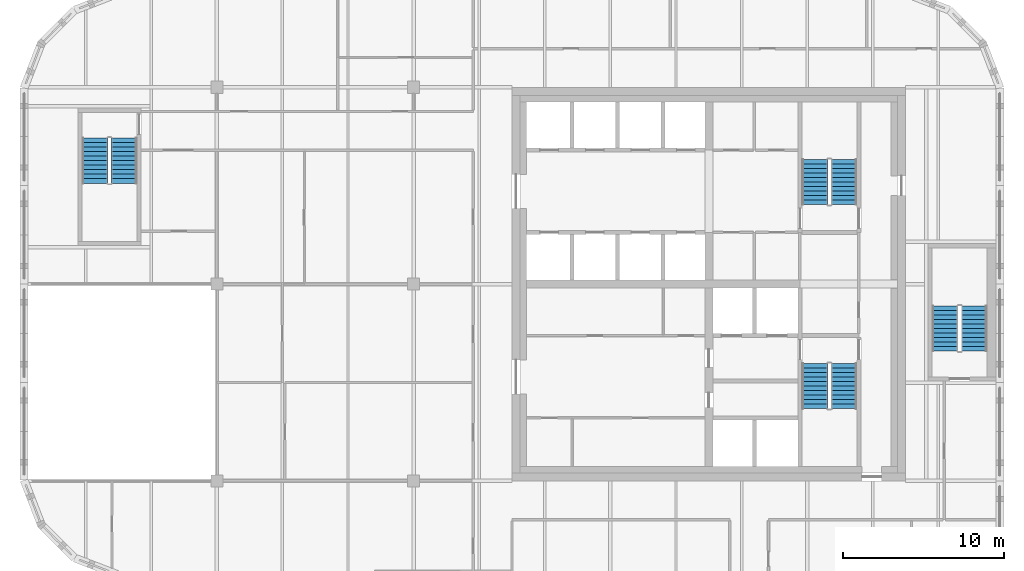
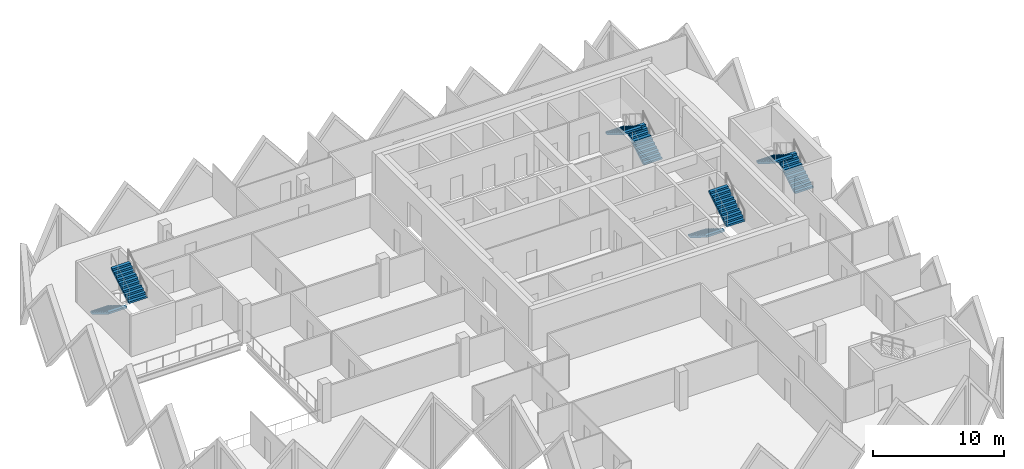
# One storey, part 11 of 12: 8 stair flights, 4 elements without a shape of their own.
"""IFC4 building model written with IfcOpenShell, lengths in metres."""

from ifc_helpers import new_model, si_unit, direction, frame, origin, place, context, subcontext, project, spatial, polyline, outline, extrude, material, type_object, element, aggregate, save


model = new_model("IFC4")

# Units and contexts
model_context = context("Model", 3, precision=1e-05, world=origin(), true_north=direction((0.0, 1.0)))
body_context = subcontext(model_context, "Body", "Model", "MODEL_VIEW")
ifc_project = project(units=[si_unit("LENGTHUNIT", "METRE"), si_unit("AREAUNIT", "SQUARE_METRE"), si_unit("VOLUMEUNIT", "CUBIC_METRE"), si_unit("PLANEANGLEUNIT", "RADIAN"), si_unit("MASSUNIT", "GRAM", prefix="KILO")], contexts=[model_context])

# Site, building, storey
site_placement = place(None, origin())
site = spatial("IfcSite", under=ifc_project, at=site_placement, CompositionType="ELEMENT")
building_placement = place(site_placement, origin())
building = spatial("IfcBuilding", under=site, at=building_placement, Name="Tessera Gate Towers", CompositionType="ELEMENT")
storey_placement = place(building_placement, frame((0.0, 0.0, 213.10009765625)))
storey = spatial("IfcBuildingStorey", under=building, at=storey_placement, Name="L53", CompositionType="ELEMENT", Elevation=213.10009765625)

# Stair, stair flights
ifc_material_1 = material(Name="Concrete C40/50", Category="concrete")
stair_type_1 = type_object("IfcStairType", Name="EXIT STAIR ST1 1600", PredefinedType="HALF_TURN_STAIR", material=ifc_material_1)
stair_1_placement = place(storey_placement, origin())
stair_1 = element("IfcStair", 1, at=stair_1_placement, inside=storey, type_object=stair_type_1, Name="L53 Protected Exit Stair ST1", PredefinedType="HALF_TURN_STAIR")
ifc_material_2 = material(Name="Concrete C40/50", Category="concrete")
stair_flight_type_1 = type_object("IfcStairFlightType", Name="EXIT STAIR FLIGHT ST1 1600", PredefinedType="STRAIGHT", material=ifc_material_2)
stair_flight_1_placement = place(storey_placement, frame((49.27490234375, 31.675048828125, 0.0), z_axis=(0.0, 0.0, 1.0), x_axis=(0.0, -1.0, 0.0)))
stair_flight_1 = element("IfcStairFlight", 2, at=stair_flight_1_placement, type_object=stair_flight_type_1, Name="ST1 flight 1", NumberOfRisers=11, NumberOfTreads=10, PredefinedType="STRAIGHT", RiserHeight=0.172727273, TreadLength=0.28, context=body_context, shape_type="SweptSolid", body=[
    extrude(outline(polyline([(0.0, 0.0), (0.0, 0.172607421875), (0.280029296875, 0.172607421875), (0.280029296875, 0.345458984375), (0.56005859375, 0.345458984375), (0.56005859375, 0.51806640625), (0.840087890625, 0.51806640625), (0.840087890625, 0.69091796875), (1.1201171875, 0.69091796875), (1.1201171875, 0.863525390625), (1.39990234375, 0.863525390625), (1.39990234375, 1.036376953125), (1.679931640625, 1.036376953125), (1.679931640625, 1.208984375), (1.9599609375, 1.208984375), (1.9599609375, 1.3818359375), (2.239990234375, 1.3818359375), (2.239990234375, 1.554443359375), (2.52001953125, 1.554443359375), (2.52001953125, 1.727294921875), (2.800048828125, 1.727294921875), (2.800048828125, 1.89990234375), (2.800048828125, 1.551025390625), (0.285400390625, 0.0), (0.0, 0.0)])), frame((0.0, 0.800048828125, 0.0), z_axis=(0.0, -1.0, 0.0), x_axis=(1.0, 0.0, 0.0)), (0.0, 0.0, 1.0), 1.60009765625),
])
stair_flight_2_placement = place(storey_placement, frame((51.074951171875, 28.875, 1.89990234375), z_axis=(0.0, 0.0, 1.0), x_axis=(0.0, 1.0, 0.0)))
stair_flight_2 = element("IfcStairFlight", 3, at=stair_flight_2_placement, type_object=stair_flight_type_1, Name="ST1 flight 2", NumberOfRisers=11, NumberOfTreads=10, PredefinedType="STRAIGHT", RiserHeight=0.172727273, TreadLength=0.28, context=body_context, shape_type="SweptSolid", body=[
    extrude(outline(polyline([(0.0, 0.0), (0.0, 0.172607421875), (0.280029296875, 0.172607421875), (0.280029296875, 0.345458984375), (0.56005859375, 0.345458984375), (0.56005859375, 0.51806640625), (0.840087890625, 0.51806640625), (0.840087890625, 0.69091796875), (1.1201171875, 0.69091796875), (1.1201171875, 0.863525390625), (1.39990234375, 0.863525390625), (1.39990234375, 1.036376953125), (1.679931640625, 1.036376953125), (1.679931640625, 1.208984375), (1.9599609375, 1.208984375), (1.9599609375, 1.3818359375), (2.239990234375, 1.3818359375), (2.239990234375, 1.554443359375), (2.52001953125, 1.554443359375), (2.52001953125, 1.727294921875), (2.800048828125, 1.727294921875), (2.800048828125, 1.89990234375), (2.800048828125, 1.551025390625), (0.285400390625, 0.0), (0.0, 0.0)])), frame((0.0, 0.800048828125, 0.0), z_axis=(0.0, -1.0, 0.0), x_axis=(1.0, 0.0, 0.0)), (0.0, 0.0, 1.0), 1.60009765625),
])
aggregate(stair_1, [stair_flight_1, stair_flight_2])

ifc_material_3 = material(Name="Concrete C40/50", Category="concrete")
stair_type_2 = type_object("IfcStairType", Name="EXIT STAIR ST2 1600", PredefinedType="HALF_TURN_STAIR", material=ifc_material_3)
stair_2_placement = place(storey_placement, origin())
stair_2 = element("IfcStair", 4, at=stair_2_placement, inside=storey, type_object=stair_type_2, Name="L53 Protected Exit Stair ST2", PredefinedType="HALF_TURN_STAIR")
ifc_material_4 = material(Name="Concrete C40/50", Category="concrete")
stair_flight_type_2 = type_object("IfcStairFlightType", Name="EXIT STAIR FLIGHT ST2 1600", PredefinedType="STRAIGHT", material=ifc_material_4)
stair_flight_3_placement = place(storey_placement, frame((51.074951171875, 41.52490234375, 0.0), z_axis=(0.0, 0.0, 1.0), x_axis=(0.0, 1.0, 0.0)))
stair_flight_3 = element("IfcStairFlight", 5, at=stair_flight_3_placement, type_object=stair_flight_type_2, Name="ST2 flight 1", NumberOfRisers=11, NumberOfTreads=10, PredefinedType="STRAIGHT", RiserHeight=0.172727273, TreadLength=0.28, context=body_context, shape_type="SweptSolid", body=[
    extrude(outline(polyline([(0.0, 0.0), (0.0, 0.172607421875), (0.280029296875, 0.172607421875), (0.280029296875, 0.345458984375), (0.56005859375, 0.345458984375), (0.56005859375, 0.51806640625), (0.840087890625, 0.51806640625), (0.840087890625, 0.69091796875), (1.1201171875, 0.69091796875), (1.1201171875, 0.863525390625), (1.39990234375, 0.863525390625), (1.39990234375, 1.036376953125), (1.679931640625, 1.036376953125), (1.679931640625, 1.208984375), (1.9599609375, 1.208984375), (1.9599609375, 1.3818359375), (2.239990234375, 1.3818359375), (2.239990234375, 1.554443359375), (2.52001953125, 1.554443359375), (2.52001953125, 1.727294921875), (2.800048828125, 1.727294921875), (2.800048828125, 1.89990234375), (2.800048828125, 1.551025390625), (0.285400390625, 0.0), (0.0, 0.0)])), frame((0.0, 0.800048828125, 0.0), z_axis=(0.0, -1.0, 0.0), x_axis=(1.0, 0.0, 0.0)), (0.0, 0.0, 1.0), 1.60009765625),
])
stair_flight_4_placement = place(storey_placement, frame((49.27490234375, 44.324951171875, 1.89990234375), z_axis=(0.0, 0.0, 1.0), x_axis=(0.0, -1.0, 0.0)))
stair_flight_4 = element("IfcStairFlight", 6, at=stair_flight_4_placement, type_object=stair_flight_type_2, Name="ST2 flight 2", NumberOfRisers=11, NumberOfTreads=10, PredefinedType="STRAIGHT", RiserHeight=0.172727273, TreadLength=0.28, context=body_context, shape_type="SweptSolid", body=[
    extrude(outline(polyline([(0.0, 0.0), (0.0, 0.172607421875), (0.280029296875, 0.172607421875), (0.280029296875, 0.345458984375), (0.56005859375, 0.345458984375), (0.56005859375, 0.51806640625), (0.840087890625, 0.51806640625), (0.840087890625, 0.69091796875), (1.1201171875, 0.69091796875), (1.1201171875, 0.863525390625), (1.39990234375, 0.863525390625), (1.39990234375, 1.036376953125), (1.679931640625, 1.036376953125), (1.679931640625, 1.208984375), (1.9599609375, 1.208984375), (1.9599609375, 1.3818359375), (2.239990234375, 1.3818359375), (2.239990234375, 1.554443359375), (2.52001953125, 1.554443359375), (2.52001953125, 1.727294921875), (2.800048828125, 1.727294921875), (2.800048828125, 1.89990234375), (2.800048828125, 1.551025390625), (0.285400390625, 0.0), (0.0, 0.0)])), frame((0.0, 0.800048828125, 0.0), z_axis=(0.0, -1.0, 0.0), x_axis=(1.0, 0.0, 0.0)), (0.0, 0.0, 1.0), 1.60009765625),
])
aggregate(stair_2, [stair_flight_3, stair_flight_4])

ifc_material_5 = material(Name="Concrete C40/50", Category="concrete")
stair_type_3 = type_object("IfcStairType", Name="EXIT STAIR ST3 1600", PredefinedType="HALF_TURN_STAIR", material=ifc_material_5)
stair_3_placement = place(storey_placement, origin())
stair_3 = element("IfcStair", 7, at=stair_3_placement, inside=storey, type_object=stair_type_3, Name="L53 West Exit Stair ST3", PredefinedType="HALF_TURN_STAIR")
ifc_material_6 = material(Name="Concrete C40/50", Category="concrete")
stair_flight_type_3 = type_object("IfcStairFlightType", Name="EXIT STAIR FLIGHT ST3 1600", PredefinedType="STRAIGHT", material=ifc_material_6)
stair_flight_5_placement = place(storey_placement, frame((4.64990234375, 45.64990234375, 0.0), z_axis=(0.0, 0.0, 1.0), x_axis=(0.0, -1.0, 0.0)))
stair_flight_5 = element("IfcStairFlight", 8, at=stair_flight_5_placement, type_object=stair_flight_type_3, Name="ST3 flight 1", NumberOfRisers=11, NumberOfTreads=10, PredefinedType="STRAIGHT", RiserHeight=0.172727273, TreadLength=0.28, context=body_context, shape_type="SweptSolid", body=[
    extrude(outline(polyline([(0.0, 0.0), (0.0, 0.172607421875), (0.280029296875, 0.172607421875), (0.280029296875, 0.345458984375), (0.56005859375, 0.345458984375), (0.56005859375, 0.51806640625), (0.840087890625, 0.51806640625), (0.840087890625, 0.69091796875), (1.1201171875, 0.69091796875), (1.1201171875, 0.863525390625), (1.39990234375, 0.863525390625), (1.39990234375, 1.036376953125), (1.679931640625, 1.036376953125), (1.679931640625, 1.208984375), (1.9599609375, 1.208984375), (1.9599609375, 1.3818359375), (2.239990234375, 1.3818359375), (2.239990234375, 1.554443359375), (2.52001953125, 1.554443359375), (2.52001953125, 1.727294921875), (2.800048828125, 1.727294921875), (2.800048828125, 1.89990234375), (2.800048828125, 1.551025390625), (0.285400390625, 0.0), (0.0, 0.0)])), frame((0.0, 0.800048828125, 0.0), z_axis=(0.0, -1.0, 0.0), x_axis=(1.0, 0.0, 0.0)), (0.0, 0.0, 1.0), 1.60009765625),
])
stair_flight_6_placement = place(storey_placement, frame((6.449951171875, 42.85009765625, 1.89990234375), z_axis=(0.0, 0.0, 1.0), x_axis=(0.0, 1.0, 0.0)))
stair_flight_6 = element("IfcStairFlight", 9, at=stair_flight_6_placement, type_object=stair_flight_type_3, Name="ST3 flight 2", NumberOfRisers=11, NumberOfTreads=10, PredefinedType="STRAIGHT", RiserHeight=0.172727273, TreadLength=0.28, context=body_context, shape_type="SweptSolid", body=[
    extrude(outline(polyline([(0.0, 0.0), (0.0, 0.172607421875), (0.280029296875, 0.172607421875), (0.280029296875, 0.345458984375), (0.56005859375, 0.345458984375), (0.56005859375, 0.51806640625), (0.840087890625, 0.51806640625), (0.840087890625, 0.69091796875), (1.1201171875, 0.69091796875), (1.1201171875, 0.863525390625), (1.39990234375, 0.863525390625), (1.39990234375, 1.036376953125), (1.679931640625, 1.036376953125), (1.679931640625, 1.208984375), (1.9599609375, 1.208984375), (1.9599609375, 1.3818359375), (2.239990234375, 1.3818359375), (2.239990234375, 1.554443359375), (2.52001953125, 1.554443359375), (2.52001953125, 1.727294921875), (2.800048828125, 1.727294921875), (2.800048828125, 1.89990234375), (2.800048828125, 1.551025390625), (0.285400390625, 0.0), (0.0, 0.0)])), frame((0.0, 0.800048828125, 0.0), z_axis=(0.0, -1.0, 0.0), x_axis=(1.0, 0.0, 0.0)), (0.0, 0.0, 1.0), 1.60009765625),
])
aggregate(stair_3, [stair_flight_5, stair_flight_6])

ifc_material_7 = material(Name="Concrete C40/50", Category="concrete")
stair_type_4 = type_object("IfcStairType", Name="EXIT STAIR ST5 1600", PredefinedType="HALF_TURN_STAIR", material=ifc_material_7)
stair_4_placement = place(storey_placement, origin())
stair_4 = element("IfcStair", 10, at=stair_4_placement, inside=storey, type_object=stair_type_4, Name="L53 East Exit Stair ST5", PredefinedType="HALF_TURN_STAIR")
ifc_material_8 = material(Name="Concrete C40/50", Category="concrete")
stair_flight_type_4 = type_object("IfcStairFlightType", Name="EXIT STAIR FLIGHT ST5 1600", PredefinedType="STRAIGHT", material=ifc_material_8)
stair_flight_7_placement = place(storey_placement, frame((59.14990234375, 32.449951171875, 0.0), z_axis=(0.0, 0.0, 1.0), x_axis=(0.0, 1.0, 0.0)))
stair_flight_7 = element("IfcStairFlight", 11, at=stair_flight_7_placement, type_object=stair_flight_type_4, Name="ST5 flight 1", NumberOfRisers=11, NumberOfTreads=10, PredefinedType="STRAIGHT", RiserHeight=0.172727273, TreadLength=0.28, context=body_context, shape_type="SweptSolid", body=[
    extrude(outline(polyline([(0.0, 0.0), (0.0, 0.172607421875), (0.280029296875, 0.172607421875), (0.280029296875, 0.345458984375), (0.56005859375, 0.345458984375), (0.56005859375, 0.51806640625), (0.840087890625, 0.51806640625), (0.840087890625, 0.69091796875), (1.1201171875, 0.69091796875), (1.1201171875, 0.863525390625), (1.39990234375, 0.863525390625), (1.39990234375, 1.036376953125), (1.679931640625, 1.036376953125), (1.679931640625, 1.208984375), (1.9599609375, 1.208984375), (1.9599609375, 1.3818359375), (2.239990234375, 1.3818359375), (2.239990234375, 1.554443359375), (2.52001953125, 1.554443359375), (2.52001953125, 1.727294921875), (2.800048828125, 1.727294921875), (2.800048828125, 1.89990234375), (2.800048828125, 1.551025390625), (0.285400390625, 0.0), (0.0, 0.0)])), frame((0.0, 0.800048828125, 0.0), z_axis=(0.0, -1.0, 0.0), x_axis=(1.0, 0.0, 0.0)), (0.0, 0.0, 1.0), 1.60009765625),
])
stair_flight_8_placement = place(storey_placement, frame((57.35009765625, 35.25, 1.89990234375), z_axis=(0.0, 0.0, 1.0), x_axis=(0.0, -1.0, 0.0)))
stair_flight_8 = element("IfcStairFlight", 12, at=stair_flight_8_placement, type_object=stair_flight_type_4, Name="ST5 flight 2", NumberOfRisers=11, NumberOfTreads=10, PredefinedType="STRAIGHT", RiserHeight=0.172727273, TreadLength=0.28, context=body_context, shape_type="SweptSolid", body=[
    extrude(outline(polyline([(0.0, 0.0), (0.0, 0.172607421875), (0.280029296875, 0.172607421875), (0.280029296875, 0.345458984375), (0.56005859375, 0.345458984375), (0.56005859375, 0.51806640625), (0.840087890625, 0.51806640625), (0.840087890625, 0.69091796875), (1.1201171875, 0.69091796875), (1.1201171875, 0.863525390625), (1.39990234375, 0.863525390625), (1.39990234375, 1.036376953125), (1.679931640625, 1.036376953125), (1.679931640625, 1.208984375), (1.9599609375, 1.208984375), (1.9599609375, 1.3818359375), (2.239990234375, 1.3818359375), (2.239990234375, 1.554443359375), (2.52001953125, 1.554443359375), (2.52001953125, 1.727294921875), (2.800048828125, 1.727294921875), (2.800048828125, 1.89990234375), (2.800048828125, 1.551025390625), (0.285400390625, 0.0), (0.0, 0.0)])), frame((0.0, 0.800048828125, 0.0), z_axis=(0.0, -1.0, 0.0), x_axis=(1.0, 0.0, 0.0)), (0.0, 0.0, 1.0), 1.60009765625),
])
aggregate(stair_4, [stair_flight_7, stair_flight_8])

save(model, "model.ifc")
